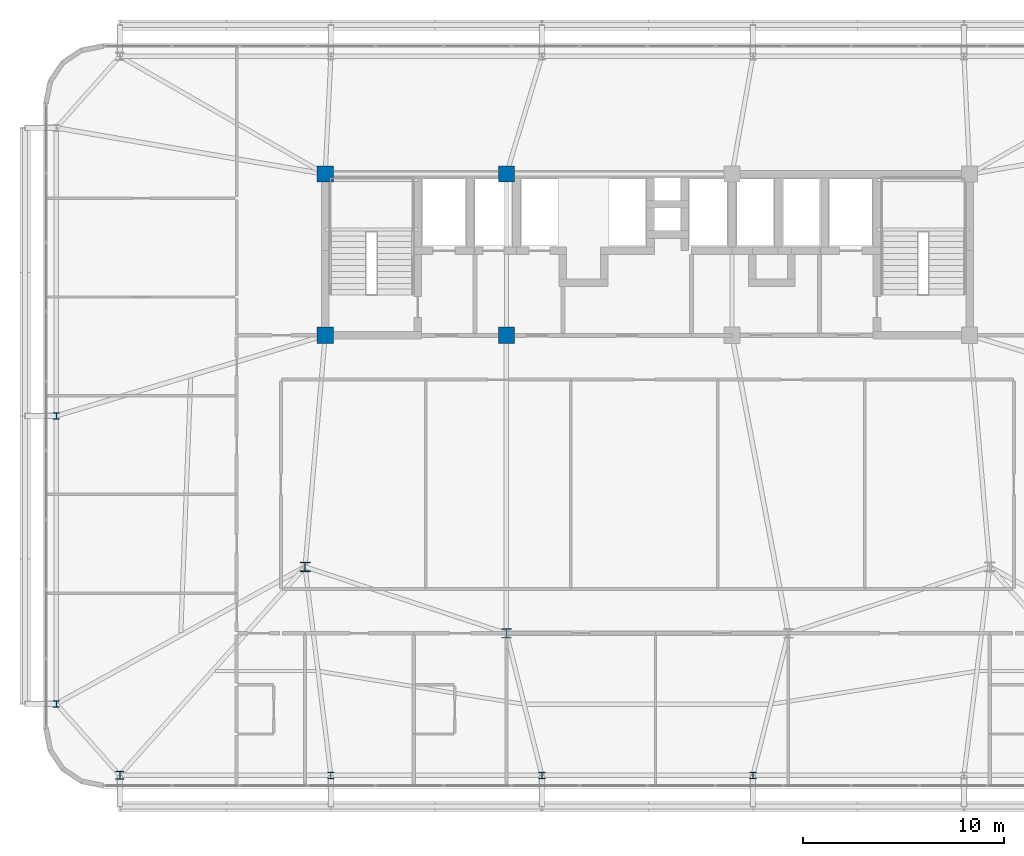
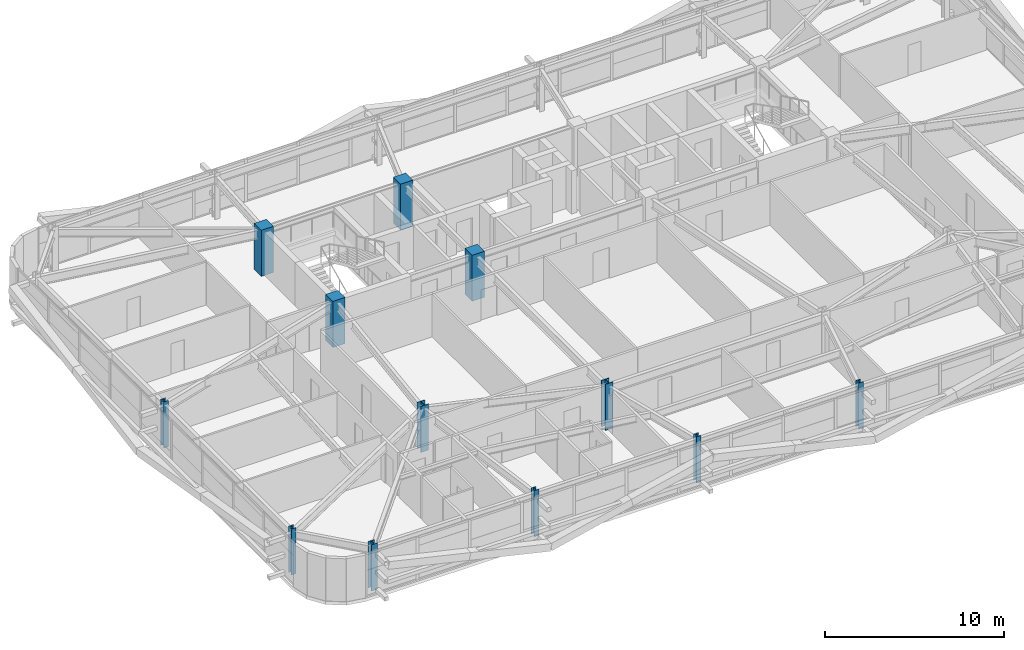
# One storey, part 1 of 58: 12 columns.
"""IFC4 building model written with IfcOpenShell, lengths in metres."""

from ifc_helpers import new_model, si_unit, direction, frame, origin, origin_2d, place, context, subcontext, project, spatial, rectangle, i_section, extrude, source, transform, mapped, material, material_profile, profile_set, type_object, element, save


model = new_model("IFC4")

# Units and contexts
model_context = context("Model", 3, precision=1e-05, world=origin(), true_north=direction((0.0, 1.0)))
body_context = subcontext(model_context, "Body", "Model", "MODEL_VIEW")
ifc_project = project(units=[si_unit("LENGTHUNIT", "METRE"), si_unit("AREAUNIT", "SQUARE_METRE"), si_unit("VOLUMEUNIT", "CUBIC_METRE"), si_unit("PLANEANGLEUNIT", "RADIAN"), si_unit("MASSUNIT", "GRAM", prefix="KILO")], contexts=[model_context])

# Site, building, storey
site_placement = place(None, origin())
site = spatial("IfcSite", under=ifc_project, at=site_placement, CompositionType="ELEMENT")
building_placement = place(site_placement, origin())
building = spatial("IfcBuilding", under=site, at=building_placement, Name="Taldren Reach Tower", CompositionType="ELEMENT")
storey_placement = place(building_placement, frame((0.0, 0.0, 32.550048828125)))
storey = spatial("IfcBuildingStorey", under=building, at=storey_placement, Name="L09", CompositionType="ELEMENT", Elevation=32.550048828125)

# Columns
ifc_material_1 = material(Name="Steel Gr 350 (350PLUS)", Category="steel")
ifc_material_profile_1 = material_profile(ifc_material_1, i_section(OverallWidth=0.5, OverallDepth=0.47998046875, WebThickness=0.028076171875, FlangeThickness=0.0439453125, at=origin_2d()), Name="500WC440")
ifc_profile_set_1 = profile_set([ifc_material_profile_1], Name="Steel Gr 350 (350PLUS)")
column_type_1 = type_object("IfcColumnType", Name="COL-WC500A", PredefinedType="COLUMN", material=ifc_profile_set_1)
shared_shape_1 = source(origin(), body_context, "Body", "SweptSolid", [
    extrude(i_section(OverallWidth=0.5, OverallDepth=0.47998046875, WebThickness=0.028076171875, FlangeThickness=0.0439453125, at=origin_2d()), origin(), (0.0, 0.0, 1.0), 3.14990234375),
])
column_1_placement = place(storey_placement, frame((28.0, 9.199951171875, 0.0), z_axis=(0.0, 0.0, 1.0), x_axis=(1.0, 0.0, 0.0)))
element("IfcColumn", 1, at=column_1_placement, inside=storey, type_object=column_type_1, Name="Mega column MC-PJW L09", PredefinedType="COLUMN", context=body_context, shape_type="MappedRepresentation", body=[
    mapped(shared_shape_1, transform((0.0, 0.0, 0.0), scale=1.0)),
])
ifc_material_profile_2 = material_profile(ifc_material_1, i_section(OverallWidth=0.39990234375, OverallDepth=0.39599609375, WebThickness=0.02197265625, FlangeThickness=0.033935546875, at=origin_2d()), Name="400WC270")
ifc_profile_set_2 = profile_set([ifc_material_profile_2], Name="Steel Gr 350 (350PLUS)")
column_type_2 = type_object("IfcColumnType", Name="COL-WC400", PredefinedType="COLUMN", material=ifc_profile_set_2)
shared_shape_2 = source(origin(), body_context, "Body", "SweptSolid", [
    extrude(i_section(OverallWidth=0.39990234375, OverallDepth=0.39599609375, WebThickness=0.02197265625, FlangeThickness=0.033935546875, at=origin_2d()), origin(), (0.0, 0.0, 1.0), 3.14990234375),
])
column_2_placement = place(storey_placement, frame((8.800048828125, 2.14990234375, 0.0), z_axis=(0.0, 0.0, 1.0), x_axis=(1.0, 0.0, 0.0)))
element("IfcColumn", 2, at=column_2_placement, inside=storey, type_object=column_type_2, Name="Block B1 perimeter column S1 L09", PredefinedType="COLUMN", context=body_context, shape_type="MappedRepresentation", body=[
    mapped(shared_shape_2, transform((0.0, 0.0, 0.0), scale=1.0)),
])
ifc_material_profile_3 = material_profile(ifc_material_1, i_section(OverallWidth=0.31103515625, OverallDepth=0.326904296875, WebThickness=0.015625, FlangeThickness=0.02490234375, at=origin_2d()), Name="310UC158")
ifc_profile_set_3 = profile_set([ifc_material_profile_3], Name="Steel Gr 350 (350PLUS)")
column_type_3 = type_object("IfcColumnType", Name="COL-UC310A", PredefinedType="COLUMN", material=ifc_profile_set_3)
shared_shape_3 = source(origin(), body_context, "Body", "SweptSolid", [
    extrude(i_section(OverallWidth=0.31103515625, OverallDepth=0.326904296875, WebThickness=0.015625, FlangeThickness=0.02490234375, at=origin_2d()), origin(), (0.0, 0.0, 1.0), 3.14990234375),
])
for number, where, z_axis, x_axis, name in (
    (3, (19.280029296875, 2.14990234375, 0.0), (0.0, 0.0, 1.0), (1.0, 0.0, 0.0), "Block B1 perimeter column S2 L09"),
    (4, (29.760009765625, 2.14990234375, 0.0), (0.0, 0.0, 1.0), (1.0, 0.0, 0.0), "Block B1 perimeter column S3 L09"),
    (5, (40.239990234375, 2.14990234375, 0.0), (0.0, 0.0, 1.0), (1.0, 0.0, 0.0), "Block B1 perimeter column S4 L09"),
    (6, (5.64990234375, 5.699951171875, 0.0), (0.0, 0.0, 1.0), (1.0, 0.0, 0.0), "Block B1 perimeter column W1 L09"),
    (7, (5.64990234375, 20.0, 0.0), (0.0, 0.0, 1.0), (1.0, 0.0, 0.0), "Block B1 perimeter column W2 L09"),
):
    element("IfcColumn", number, at=place(storey_placement, frame(where, z_axis=z_axis, x_axis=x_axis)), inside=storey, type_object=column_type_3, Name=name, PredefinedType="COLUMN", context=body_context, shape_type="MappedRepresentation", body=[
        mapped(shared_shape_3, transform((0.0, 0.0, 0.0), scale=1.0)),
    ])
ifc_material_2 = material(Name="Concrete S65 (65 MPa)", Category="concrete")
ifc_material_profile_4 = material_profile(ifc_material_2, rectangle(XDim=0.800048828125, YDim=0.800048828125, at=origin_2d()), Name="RC-800x800")
ifc_profile_set_4 = profile_set([ifc_material_profile_4], Name="Concrete S65 (65 MPa)")
column_type_4 = type_object("IfcColumnType", Name="COL-RC800", PredefinedType="COLUMN", material=ifc_profile_set_4)
shared_shape_4 = source(origin(), body_context, "Body", "SweptSolid", [
    extrude(rectangle(XDim=0.800048828125, YDim=0.800048828125, at=origin_2d()), origin(), (0.0, 0.0, 1.0), 3.14990234375),
])
for number, where, z_axis, x_axis, name in (
    (8, (19.0, 24.0, 0.0), (0.0, 0.0, 1.0), (1.0, 0.0, 0.0), "Mega column MC-C1 L09"),
    (9, (28.0, 24.0, 0.0), (0.0, 0.0, 1.0), (1.0, 0.0, 0.0), "Mega column MC-C2 L09"),
    (10, (19.0, 32.0, 0.0), (0.0, 0.0, 1.0), (1.0, 0.0, 0.0), "Mega column MC-C5 L09"),
    (11, (28.0, 32.0, 0.0), (0.0, 0.0, 1.0), (1.0, 0.0, 0.0), "Mega column MC-C6 L09"),
):
    element("IfcColumn", number, at=place(storey_placement, frame(where, z_axis=z_axis, x_axis=x_axis)), inside=storey, type_object=column_type_4, Name=name, PredefinedType="COLUMN", context=body_context, shape_type="MappedRepresentation", body=[
        mapped(shared_shape_4, transform((0.0, 0.0, 0.0), scale=1.0)),
    ])
ifc_material_profile_5 = material_profile(ifc_material_1, i_section(OverallWidth=0.5, OverallDepth=0.464111328125, WebThickness=0.02197265625, FlangeThickness=0.033935546875, at=origin_2d()), Name="500WC340")
ifc_profile_set_5 = profile_set([ifc_material_profile_5], Name="Steel Gr 350 (350PLUS)")
column_type_5 = type_object("IfcColumnType", Name="COL-WC500B", PredefinedType="COLUMN", material=ifc_profile_set_5)
shared_shape_5 = source(origin(), body_context, "Body", "SweptSolid", [
    extrude(i_section(OverallWidth=0.5, OverallDepth=0.464111328125, WebThickness=0.02197265625, FlangeThickness=0.033935546875, at=origin_2d()), origin(), (0.0, 0.0, 1.0), 3.14990234375),
])
column_3_placement = place(storey_placement, frame((18.0, 12.5, 0.0), z_axis=(0.0, 0.0, 1.0), x_axis=(1.0, 0.0, 0.0)))
element("IfcColumn", 12, at=column_3_placement, inside=storey, type_object=column_type_5, Name="Mega column MC-SW L09", PredefinedType="COLUMN", context=body_context, shape_type="MappedRepresentation", body=[
    mapped(shared_shape_5, transform((0.0, 0.0, 0.0), scale=1.0)),
])

save(model, "model.ifc")
